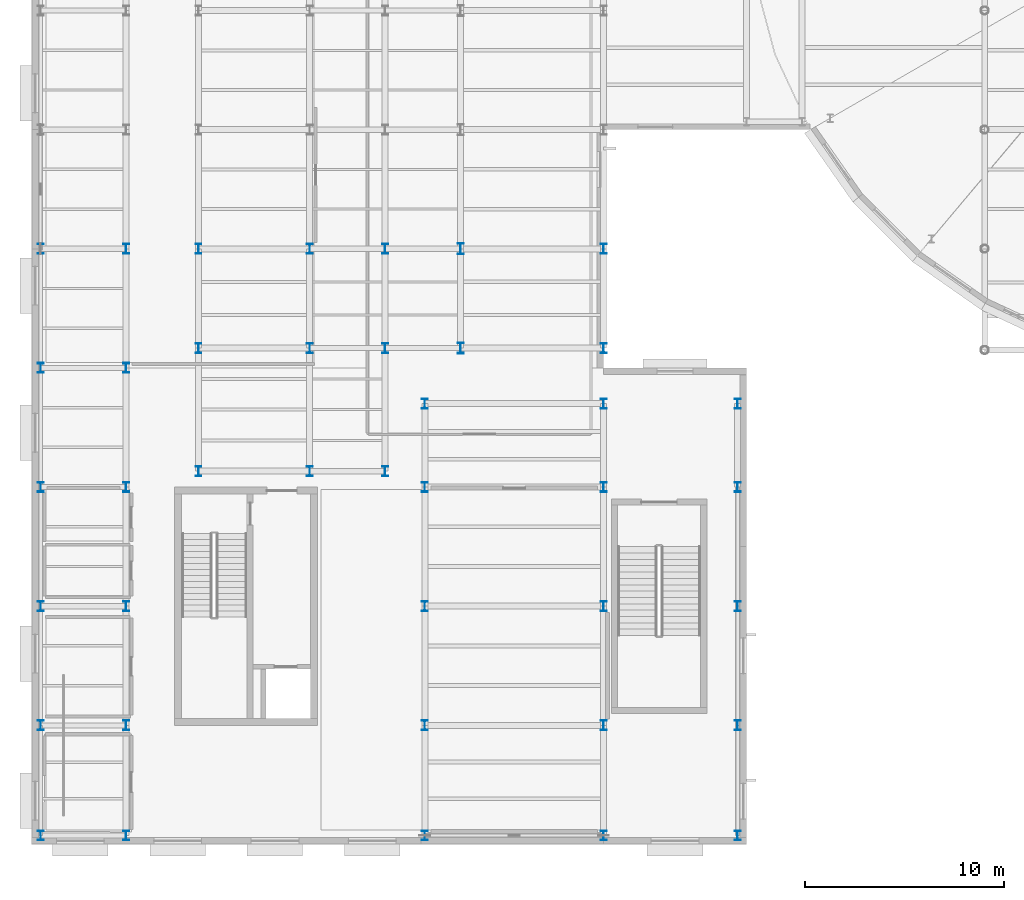
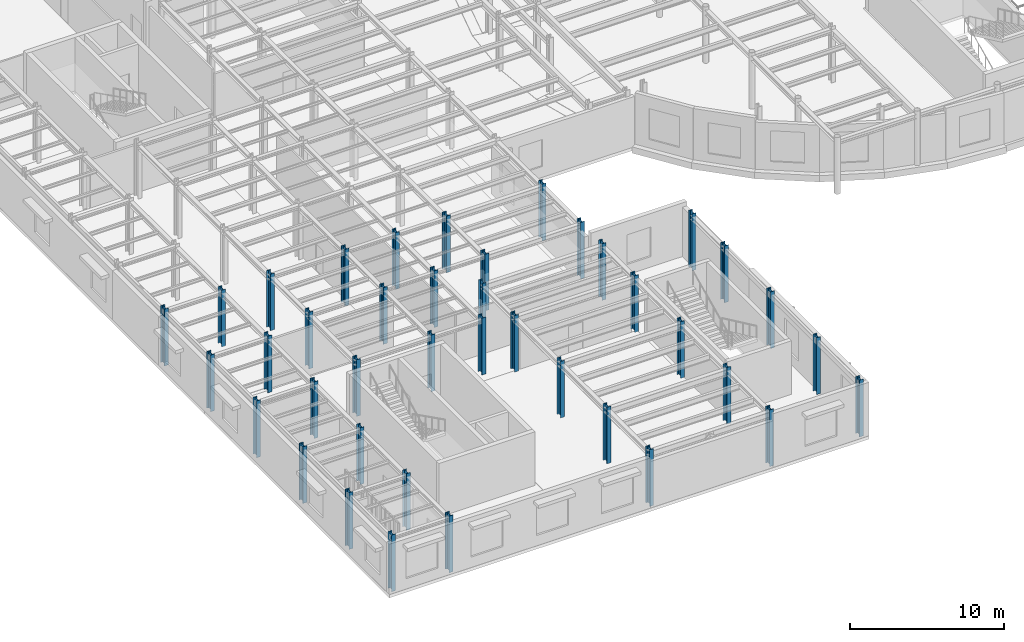
# One storey, part 1 of 91: 40 columns.
"""IFC4 building model written with IfcOpenShell, lengths in metres."""

from ifc_helpers import new_model, si_unit, direction, frame, origin, origin_2d, place, context, subcontext, project, spatial, i_section, extrude, material, material_profile, profile_set, type_object, element, save


model = new_model("IFC4")

# Units and contexts
model_context = context("Model", 3, precision=1e-05, world=origin(), true_north=direction((0.0, 1.0)))
body_context = subcontext(model_context, "Body", "Model", "MODEL_VIEW")
ifc_project = project(units=[si_unit("LENGTHUNIT", "METRE"), si_unit("AREAUNIT", "SQUARE_METRE"), si_unit("VOLUMEUNIT", "CUBIC_METRE"), si_unit("PLANEANGLEUNIT", "RADIAN"), si_unit("MASSUNIT", "GRAM", prefix="KILO")], contexts=[model_context])

# Site, building, storey
site_placement = place(None, origin())
site = spatial("IfcSite", under=ifc_project, at=site_placement, CompositionType="ELEMENT")
building_placement = place(site_placement, origin())
building = spatial("IfcBuilding", under=site, at=building_placement, Name="Kolvaren Corner Interchange", CompositionType="ELEMENT")
storey_placement = place(building_placement, frame((0.0, 0.0, 6.0)))
storey = spatial("IfcBuildingStorey", under=building, at=storey_placement, Name="L02", CompositionType="ELEMENT", Elevation=6.0)

# Columns
ifc_material_1 = material(Name="Steel S355", Category="steel")
ifc_material_profile_1 = material_profile(ifc_material_1, i_section(OverallWidth=0.300048828125, OverallDepth=0.5, WebThickness=0.014404296875, FlangeThickness=0.028076171875, FilletRadius=0.027099609375, at=origin_2d()), Name="HEB 500")
ifc_profile_set_1 = profile_set([ifc_material_profile_1], Name="Steel S355")
column_type_1 = type_object("IfcColumnType", Name="COL-HEB500", PredefinedType="COLUMN", material=ifc_profile_set_1)
for number, where, z_axis, x_axis, name in (
    (1, (0.449951171875, 0.449951171875, 0.0), (0.0, 0.0, 1.0), (1.0, 0.0, 0.0), "Storey L02 Structural Column 0002"),
    (2, (0.449951171875, 6.0, 0.0), (0.0, 0.0, 1.0), (1.0, 0.0, 0.0), "Storey L02 Structural Column 0007"),
    (3, (0.449951171875, 12.0, 0.0), (0.0, 0.0, 1.0), (1.0, 0.0, 0.0), "Storey L02 Structural Column 0012"),
    (4, (0.449951171875, 18.0, 0.0), (0.0, 0.0, 1.0), (1.0, 0.0, 0.0), "Storey L02 Structural Column 0017"),
    (5, (0.449951171875, 24.0, 0.0), (0.0, 0.0, 1.0), (1.0, 0.0, 0.0), "Storey L02 Structural Column 0022"),
    (6, (0.449951171875, 30.0, 0.0), (0.0, 0.0, 1.0), (1.0, 0.0, 0.0), "Storey L02 Structural Column 0027"),
    (7, (4.75, 0.449951171875, 0.0), (0.0, 0.0, 1.0), (1.0, 0.0, 0.0), "Storey L02 Structural Column 0070"),
    (8, (4.75, 6.0, 0.0), (0.0, 0.0, 1.0), (1.0, 0.0, 0.0), "Storey L02 Structural Column 0075"),
    (9, (4.75, 12.0, 0.0), (0.0, 0.0, 1.0), (1.0, 0.0, 0.0), "Storey L02 Structural Column 0080"),
    (10, (4.75, 18.0, 0.0), (0.0, 0.0, 1.0), (1.0, 0.0, 0.0), "Storey L02 Structural Column 0085"),
    (11, (4.75, 24.0, 0.0), (0.0, 0.0, 1.0), (1.0, 0.0, 0.0), "Storey L02 Structural Column 0090"),
    (12, (4.75, 30.0, 0.0), (0.0, 0.0, 1.0), (1.0, 0.0, 0.0), "Storey L02 Structural Column 0095"),
    (13, (19.800048828125, 0.449951171875, 0.0), (0.0, 0.0, 1.0), (1.0, 0.0, 0.0), "Storey L02 Structural Column 0138"),
    (14, (19.800048828125, 6.0, 0.0), (0.0, 0.0, 1.0), (1.0, 0.0, 0.0), "Storey L02 Structural Column 0143"),
    (15, (19.800048828125, 12.0, 0.0), (0.0, 0.0, 1.0), (1.0, 0.0, 0.0), "Storey L02 Structural Column 0148"),
    (16, (19.800048828125, 18.0, 0.0), (0.0, 0.0, 1.0), (1.0, 0.0, 0.0), "Storey L02 Structural Column 0153"),
    (17, (19.800048828125, 22.199951171875, 0.0), (0.0, 0.0, 1.0), (1.0, 0.0, 0.0), "Storey L02 Structural Column 0158"),
    (18, (28.800048828125, 0.449951171875, 0.0), (0.0, 0.0, 1.0), (1.0, 0.0, 0.0), "Storey L02 Structural Column 0163"),
    (19, (28.800048828125, 6.0, 0.0), (0.0, 0.0, 1.0), (1.0, 0.0, 0.0), "Storey L02 Structural Column 0168"),
    (20, (28.800048828125, 12.0, 0.0), (0.0, 0.0, 1.0), (1.0, 0.0, 0.0), "Storey L02 Structural Column 0173"),
    (21, (28.800048828125, 18.0, 0.0), (0.0, 0.0, 1.0), (1.0, 0.0, 0.0), "Storey L02 Structural Column 0178"),
    (22, (28.800048828125, 22.199951171875, 0.0), (0.0, 0.0, 1.0), (1.0, 0.0, 0.0), "Storey L02 Structural Column 0183"),
    (23, (35.550048828125, 0.449951171875, 0.0), (0.0, 0.0, 1.0), (1.0, 0.0, 0.0), "Storey L02 Structural Column 0188"),
    (24, (35.550048828125, 6.0, 0.0), (0.0, 0.0, 1.0), (1.0, 0.0, 0.0), "Storey L02 Structural Column 0193"),
    (25, (35.550048828125, 12.0, 0.0), (0.0, 0.0, 1.0), (1.0, 0.0, 0.0), "Storey L02 Structural Column 0198"),
    (26, (35.550048828125, 18.0, 0.0), (0.0, 0.0, 1.0), (1.0, 0.0, 0.0), "Storey L02 Structural Column 0203"),
    (27, (35.550048828125, 22.199951171875, 0.0), (0.0, 0.0, 1.0), (1.0, 0.0, 0.0), "Storey L02 Structural Column 0208"),
    (28, (8.39990234375, 18.800048828125, 0.0), (0.0, 0.0, 1.0), (1.0, 0.0, 0.0), "Storey L02 Structural Column 0214"),
    (29, (8.39990234375, 25.0, 0.0), (0.0, 0.0, 1.0), (1.0, 0.0, 0.0), "Storey L02 Structural Column 0220"),
    (30, (8.39990234375, 30.0, 0.0), (0.0, 0.0, 1.0), (1.0, 0.0, 0.0), "Storey L02 Structural Column 0226"),
    (31, (14.0, 18.800048828125, 0.0), (0.0, 0.0, 1.0), (1.0, 0.0, 0.0), "Storey L02 Structural Column 0250"),
    (32, (14.0, 25.0, 0.0), (0.0, 0.0, 1.0), (1.0, 0.0, 0.0), "Storey L02 Structural Column 0256"),
    (33, (14.0, 30.0, 0.0), (0.0, 0.0, 1.0), (1.0, 0.0, 0.0), "Storey L02 Structural Column 0262"),
    (34, (17.800048828125, 18.800048828125, 0.0), (0.0, 0.0, 1.0), (1.0, 0.0, 0.0), "Storey L02 Structural Column 0286"),
    (35, (17.800048828125, 25.0, 0.0), (0.0, 0.0, 1.0), (1.0, 0.0, 0.0), "Storey L02 Structural Column 0292"),
    (36, (17.800048828125, 30.0, 0.0), (0.0, 0.0, 1.0), (1.0, 0.0, 0.0), "Storey L02 Structural Column 0298"),
    (37, (28.800048828125, 25.0, 0.0), (0.0, 0.0, 1.0), (1.0, 0.0, 0.0), "Storey L02 Structural Column 0384"),
    (38, (28.800048828125, 30.0, 0.0), (0.0, 0.0, 1.0), (1.0, 0.0, 0.0), "Storey L02 Structural Column 0388"),
):
    element("IfcColumn", number, at=place(storey_placement, frame(where, z_axis=z_axis, x_axis=x_axis)), inside=storey, type_object=column_type_1, Name=name, PredefinedType="COLUMN", context=body_context, shape_type="SweptSolid", body=[
        extrude(i_section(OverallWidth=0.300048828125, OverallDepth=0.5, WebThickness=0.014404296875, FlangeThickness=0.028076171875, FilletRadius=0.027099609375, at=origin_2d()), origin(), (0.0, 0.0, 1.0), 4.5),
    ])
ifc_material_2 = material(Name="Steel S355", Category="steel")
ifc_material_profile_2 = material_profile(ifc_material_2, i_section(OverallWidth=0.300048828125, OverallDepth=0.550048828125, WebThickness=0.014892578125, FlangeThickness=0.029052734375, FilletRadius=0.027099609375, at=origin_2d()), Name="HEB 550")
ifc_profile_set_2 = profile_set([ifc_material_profile_2], Name="Steel S355")
column_type_2 = type_object("IfcColumnType", Name="COL-HEB550", PredefinedType="COLUMN", material=ifc_profile_set_2)
for number, where, z_axis, x_axis, name in (
    (39, (21.60009765625, 25.0, 0.0), (0.0, 0.0, 1.0), (1.0, 0.0, 0.0), "Storey L02 Structural Column 0333"),
    (40, (21.60009765625, 30.0, 0.0), (0.0, 0.0, 1.0), (1.0, 0.0, 0.0), "Storey L02 Structural Column 0339"),
):
    element("IfcColumn", number, at=place(storey_placement, frame(where, z_axis=z_axis, x_axis=x_axis)), inside=storey, type_object=column_type_2, Name=name, PredefinedType="COLUMN", context=body_context, shape_type="SweptSolid", body=[
        extrude(i_section(OverallWidth=0.300048828125, OverallDepth=0.550048828125, WebThickness=0.014892578125, FlangeThickness=0.029052734375, FilletRadius=0.027099609375, at=origin_2d()), origin(), (0.0, 0.0, 1.0), 4.5),
    ])

save(model, "model.ifc")
